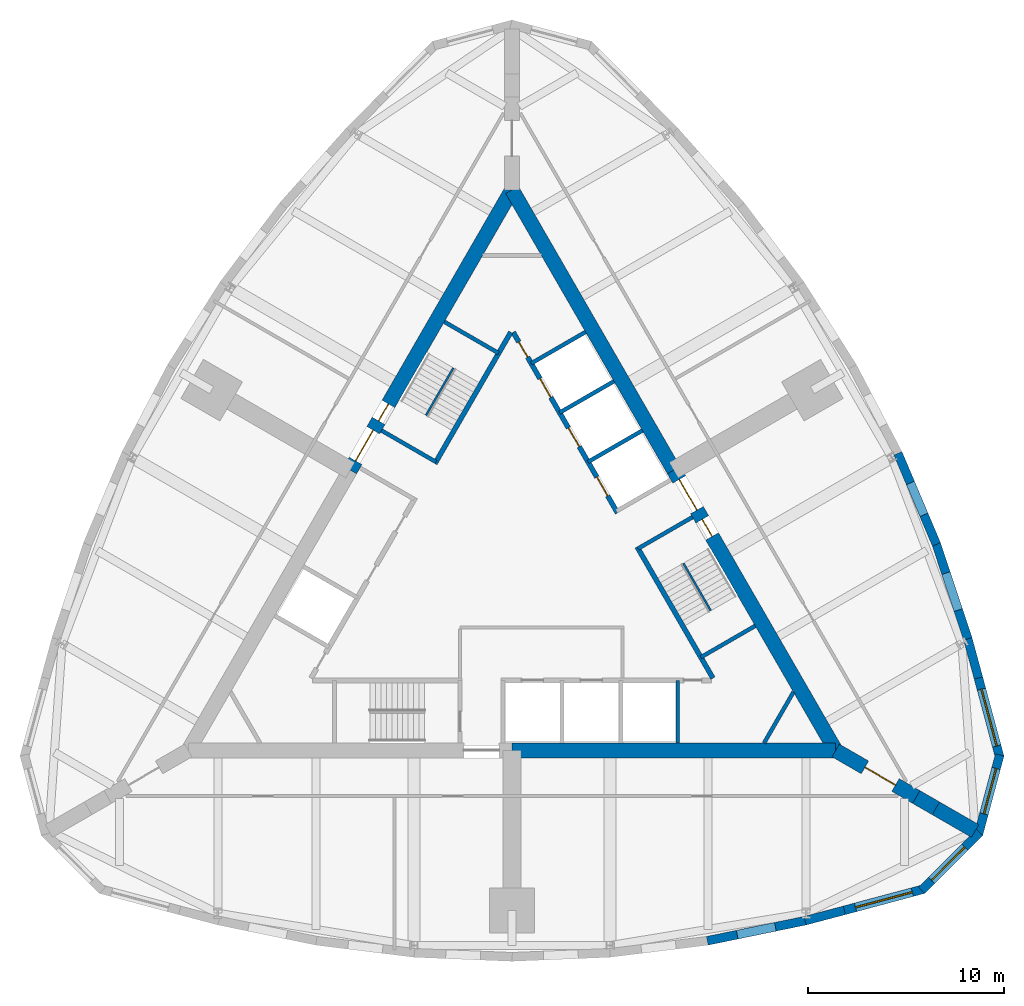
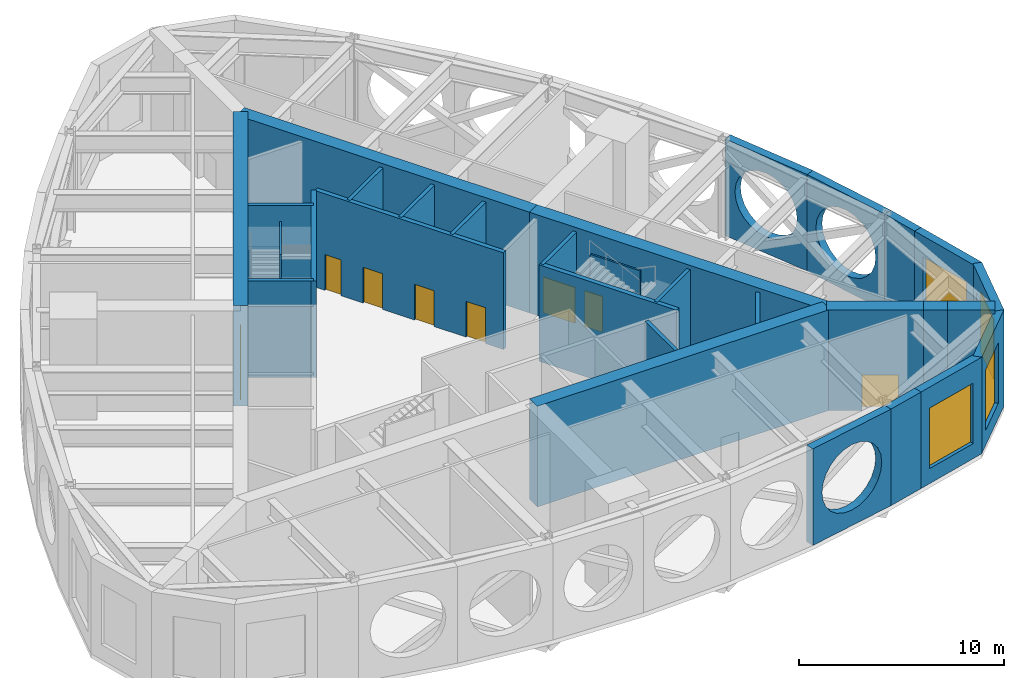
# One storey, part 4 of 7: 30 walls, 9 doors, 4 windows, 13 openings.
"""IFC4 building model written with IfcOpenShell, lengths in metres."""

from ifc_helpers import new_model, si_unit, direction, frame, frame_2d, origin, place, context, subcontext, project, spatial, polyline, rectangle, outline, extrude, material, layer, layer_set, type_object, element, fill, save


model = new_model("IFC4")

# Units and contexts
model_context = context("Model", 3, precision=1e-05, world=origin(), true_north=direction((0.0, 1.0)))
body_context = subcontext(model_context, "Body", "Model", "MODEL_VIEW")
ifc_project = project(units=[si_unit("LENGTHUNIT", "METRE"), si_unit("AREAUNIT", "SQUARE_METRE"), si_unit("VOLUMEUNIT", "CUBIC_METRE"), si_unit("PLANEANGLEUNIT", "RADIAN"), si_unit("MASSUNIT", "GRAM", prefix="KILO")], contexts=[model_context])

# Site, building, storey
site_placement = place(None, origin())
site = spatial("IfcSite", under=ifc_project, at=site_placement, CompositionType="ELEMENT")
building_placement = place(site_placement, origin())
building = spatial("IfcBuilding", under=site, at=building_placement, Name="Trikona Tower", CompositionType="ELEMENT")
storey_placement = place(building_placement, frame((0.0, 0.0, 233.300048828125)))
storey = spatial("IfcBuildingStorey", under=building, at=storey_placement, Name="L62", CompositionType="ELEMENT", Elevation=233.300048828125)

# Wall, opening, window
ifc_material_1 = material(Name="Brick-faced precast concrete", Category="masonry")
ifc_layer_1 = layer(ifc_material_1, 0.449951171875)
ifc_layer_set_1 = layer_set([ifc_layer_1], Name="Brick-faced corner wall 450")
wall_type_1 = type_object("IfcWallType", Name="Brick-faced corner wall 450", PredefinedType="SOLIDWALL", material=ifc_layer_set_1)
wall_1_placement = place(storey_placement, frame((16.94189453125, -17.6806640625, 0.0), z_axis=(0.0, 0.0, 1.0), x_axis=(0.965920442324, 0.258839137498, 0.0)))
wall_1 = element("IfcWall", 1, at=wall_1_placement, inside=storey, type_object=wall_type_1, Name="External wall L62-08", PredefinedType="SOLIDWALL", context=body_context, shape_type="SweptSolid", body=[
    extrude(rectangle(XDim=4.18408203125, YDim=0.449951171875, at=frame_2d((2.092041015625, 0.0))), origin(), (0.0, 0.0, 1.0), 5.75),
])
opening_1_placement = place(wall_1_placement, frame((0.592041015625, 0.0, 0.89990234375)))
opening_1 = element("IfcOpeningElement", 2, at=opening_1_placement, cuts=wall_1, Name="Opening W3036", PredefinedType="OPENING", context=body_context, shape_type="SweptSolid", body=[
    extrude(rectangle(XDim=3.0, YDim=3.60009765625, at=frame_2d((1.5, 1.800048828125))), frame((0.0, 0.23486328125, 0.0), z_axis=(0.0, -1.0, 0.0), x_axis=(1.0, 0.0, 0.0)), (0.0, 0.0, 1.0), 0.469970703125),
])
ifc_material_2 = material(Name="Aluminium-framed double glazing", Category="aluminium")
window_type_1 = type_object("IfcWindowType", Name="Window 3000x3600", PartitioningType="SINGLE_PANEL", PredefinedType="WINDOW", material=ifc_material_2)
window_1_placement = place(opening_1_placement, origin())
window_1 = element("IfcWindow", 3, at=window_1_placement, inside=storey, type_object=window_type_1, Name="Window L62-RFG1", OverallHeight=3.60009765625, OverallWidth=3.0, PartitioningType="SINGLE_PANEL", PredefinedType="WINDOW", context=body_context, shape_type="SweptSolid", body=[
    extrude(rectangle(XDim=3.0, YDim=3.60009765625, at=frame_2d((1.5, 1.800048828125))), frame((0.0, 0.030029296875, 0.0), z_axis=(0.0, -1.0, 0.0), x_axis=(1.0, 0.0, 0.0)), (0.0, 0.0, 1.0), 0.06005859375),
])
fill(opening_1, window_1)

wall_2_placement = place(storey_placement, frame((20.88232421875, -16.656005859375, 0.0), z_axis=(0.0, 0.0, 1.0), x_axis=(0.707077605902, 0.707135955267, 0.0)))
wall_2 = element("IfcWall", 4, at=wall_2_placement, inside=storey, type_object=wall_type_1, Name="External wall L62-09", PredefinedType="SOLIDWALL", context=body_context, shape_type="SweptSolid", body=[
    extrude(outline(polyline([(4.18408203125, 0.22509765625), (4.125244140625, 0.22509765625), (3.705322265625, 0.112548828125), (3.67529296875, 0.22509765625), (0.0, 0.22509765625), (0.0, -0.22509765625), (4.18408203125, -0.22509765625), (4.18408203125, 0.22509765625)])), origin(), (0.0, 0.0, 1.0), 5.75),
])
opening_2_placement = place(wall_2_placement, frame((0.712646484375, 0.0, 0.89990234375)))
opening_2 = element("IfcOpeningElement", 5, at=opening_2_placement, cuts=wall_2, Name="Opening W2436", PredefinedType="OPENING", context=body_context, shape_type="SweptSolid", body=[
    extrude(rectangle(XDim=2.39990234375, YDim=3.60009765625, at=frame_2d((1.199951171875, 1.800048828125))), frame((0.0, 0.23486328125, 0.0), z_axis=(0.0, -1.0, 0.0), x_axis=(1.0, 0.0, 0.0)), (0.0, 0.0, 1.0), 0.469970703125),
])
ifc_material_3 = material(Name="Aluminium-framed double glazing", Category="aluminium")
window_type_2 = type_object("IfcWindowType", Name="Window 2400x3600", PartitioningType="SINGLE_PANEL", PredefinedType="WINDOW", material=ifc_material_3)
window_2_placement = place(opening_2_placement, origin())
window_2 = element("IfcWindow", 6, at=window_2_placement, inside=storey, type_object=window_type_2, Name="Window L62-RFG1", OverallHeight=3.60009765625, OverallWidth=2.39990234375, PartitioningType="SINGLE_PANEL", PredefinedType="WINDOW", context=body_context, shape_type="SweptSolid", body=[
    extrude(rectangle(XDim=2.39990234375, YDim=3.60009765625, at=frame_2d((1.199951171875, 1.800048828125))), frame((0.0, 0.030029296875, 0.0), z_axis=(0.0, -1.0, 0.0), x_axis=(1.0, 0.0, 0.0)), (0.0, 0.0, 1.0), 0.06005859375),
])
fill(opening_2, window_2)

wall_3_placement = place(storey_placement, frame((23.78271484375, -13.798095703125, 0.0), z_axis=(0.0, 0.0, 1.0), x_axis=(0.258799282522, 0.96593112144, 0.0)))
wall_3 = element("IfcWall", 7, at=wall_3_placement, inside=storey, type_object=wall_type_1, Name="External wall L62-10", PredefinedType="SOLIDWALL", context=body_context, shape_type="SweptSolid", body=[
    extrude(outline(polyline([(4.183837890625, 0.22509765625), (0.5087890625, 0.22509765625), (0.478759765625, 0.112548828125), (0.059326171875, 0.22509765625), (0.0, 0.22509765625), (0.0, -0.22509765625), (4.183837890625, -0.22509765625), (4.183837890625, 0.22509765625)])), origin(), (0.0, 0.0, 1.0), 5.75),
])
opening_3_placement = place(wall_3_placement, frame((1.0712890625, 0.0, 0.89990234375)))
opening_3 = element("IfcOpeningElement", 8, at=opening_3_placement, cuts=wall_3, Name="Opening W2436", PredefinedType="OPENING", context=body_context, shape_type="SweptSolid", body=[
    extrude(rectangle(XDim=2.39990234375, YDim=3.60009765625, at=frame_2d((1.199951171875, 1.800048828125))), frame((0.0, 0.23486328125, 0.0), z_axis=(0.0, -1.0, 0.0), x_axis=(1.0, 0.0, 0.0)), (0.0, 0.0, 1.0), 0.469970703125),
])
window_3_placement = place(opening_3_placement, origin())
window_3 = element("IfcWindow", 9, at=window_3_placement, inside=storey, type_object=window_type_2, Name="Window L62-FWT", OverallHeight=3.60009765625, OverallWidth=2.39990234375, PartitioningType="SINGLE_PANEL", PredefinedType="WINDOW", context=body_context, shape_type="SweptSolid", body=[
    extrude(rectangle(XDim=2.39990234375, YDim=3.60009765625, at=frame_2d((1.199951171875, 1.800048828125))), frame((0.0, 0.030029296875, 0.0), z_axis=(0.0, -1.0, 0.0), x_axis=(1.0, 0.0, 0.0)), (0.0, 0.0, 1.0), 0.06005859375),
])
fill(opening_3, window_3)

wall_4_placement = place(storey_placement, frame((24.865478515625, -9.873291015625, 0.0), z_axis=(0.0, 0.0, 1.0), x_axis=(-0.258784695888, 0.965935029479, 0.0)))
wall_4 = element("IfcWall", 10, at=wall_4_placement, inside=storey, type_object=wall_type_1, Name="External wall L62-11", PredefinedType="SOLIDWALL", context=body_context, shape_type="SweptSolid", body=[
    extrude(rectangle(XDim=4.18408203125, YDim=0.449951171875, at=frame_2d((2.092041015625, 0.0))), origin(), (0.0, 0.0, 1.0), 5.75),
])
opening_4_placement = place(wall_4_placement, frame((0.592041015625, 0.0, 0.89990234375)))
opening_4 = element("IfcOpeningElement", 11, at=opening_4_placement, cuts=wall_4, Name="Opening W3036", PredefinedType="OPENING", context=body_context, shape_type="SweptSolid", body=[
    extrude(rectangle(XDim=3.0, YDim=3.60009765625, at=frame_2d((1.5, 1.800048828125))), frame((0.0, 0.23486328125, 0.0), z_axis=(0.0, -1.0, 0.0), x_axis=(1.0, 0.0, 0.0)), (0.0, 0.0, 1.0), 0.469970703125),
])
window_4_placement = place(opening_4_placement, origin())
window_4 = element("IfcWindow", 12, at=window_4_placement, inside=storey, type_object=window_type_1, Name="Window L62-FWT", OverallHeight=3.60009765625, OverallWidth=3.0, PartitioningType="SINGLE_PANEL", PredefinedType="WINDOW", context=body_context, shape_type="SweptSolid", body=[
    extrude(rectangle(XDim=3.0, YDim=3.60009765625, at=frame_2d((1.5, 1.800048828125))), frame((0.0, 0.030029296875, 0.0), z_axis=(0.0, -1.0, 0.0), x_axis=(1.0, 0.0, 0.0)), (0.0, 0.0, 1.0), 0.06005859375),
])
fill(opening_4, window_4)

# Walls
ifc_material_4 = material(Name="Brick-faced precast concrete with louvred openings", Category="masonry")
ifc_layer_2 = layer(ifc_material_4, 0.449951171875)
ifc_layer_set_2 = layer_set([ifc_layer_2], Name="Brick-faced plant wall 450")
wall_type_2 = type_object("IfcWallType", Name="Brick-faced plant wall 450", PredefinedType="SOLIDWALL", material=ifc_layer_set_2)
wall_5_placement = place(storey_placement, frame((9.95458984375, -19.23388671875, 0.0), z_axis=(0.0, 0.0, 1.0), x_axis=(0.979461488189, 0.201631329795, 0.0)))
element("IfcWall", 13, at=wall_5_placement, inside=storey, type_object=wall_type_2, Name="External wall L62-06", PredefinedType="SOLIDWALL", context=body_context, shape_type="SweptSolid", body=[
    extrude(outline(polyline([(0.0, 0.0), (5.104736328125, 0.0), (5.104736328125, 5.75), (0.0, 5.75), (0.0, 0.0)]), holes=[polyline([(4.50244140625, 2.875), (4.43603515625, 3.379638671875), (4.2412109375, 3.849853515625), (3.931396484375, 4.25390625), (3.52734375, 4.563720703125), (3.05712890625, 4.758544921875), (2.552490234375, 4.824951171875), (2.047607421875, 4.758544921875), (1.577392578125, 4.563720703125), (1.173583984375, 4.25390625), (0.86376953125, 3.849853515625), (0.6689453125, 3.379638671875), (0.602294921875, 2.875), (0.6689453125, 2.370361328125), (0.86376953125, 1.89990234375), (1.173583984375, 1.49609375), (1.577392578125, 1.186279296875), (2.047607421875, 0.991455078125), (2.552490234375, 0.925048828125), (3.05712890625, 0.991455078125), (3.52734375, 1.186279296875), (3.931396484375, 1.49609375), (4.2412109375, 1.89990234375), (4.43603515625, 2.370361328125), (4.50244140625, 2.875)])]), frame((0.0, 0.22509765625, 0.0), z_axis=(0.0, -1.0, 0.0), x_axis=(1.0, 0.0, 0.0)), (0.0, 0.0, 1.0), 0.449951171875),
])
wall_6_placement = place(storey_placement, frame((14.942626953125, -18.207275390625, 0.0), z_axis=(0.0, 0.0, 1.0), x_axis=(0.967010286052, 0.254737328772, 0.0)))
element("IfcWall", 14, at=wall_6_placement, inside=storey, type_object=wall_type_2, Name="External wall L62-07", PredefinedType="SOLIDWALL", context=body_context, shape_type="SweptSolid", body=[
    extrude(rectangle(XDim=2.068115234375, YDim=0.449951171875, at=frame_2d((1.0341796875, 0.0))), origin(), (0.0, 0.0, 1.0), 5.75),
])
wall_7_placement = place(storey_placement, frame((23.782958984375, -5.83251953125, 0.0), z_axis=(0.0, 0.0, 1.0), x_axis=(-0.262867703986, 0.964831887015, 0.0)))
element("IfcWall", 15, at=wall_7_placement, inside=storey, type_object=wall_type_2, Name="External wall L62-12", PredefinedType="SOLIDWALL", context=body_context, shape_type="SweptSolid", body=[
    extrude(rectangle(XDim=2.068359375, YDim=0.449951171875, at=frame_2d((1.0341796875, 0.0))), origin(), (0.0, 0.0, 1.0), 5.75),
])
wall_8_placement = place(storey_placement, frame((23.242919921875, -3.848876953125, 0.0), z_axis=(0.0, 0.0, 1.0), x_axis=(-0.315065402268, 0.949069961749, 0.0)))
element("IfcWall", 16, at=wall_8_placement, inside=storey, type_object=wall_type_2, Name="External wall L62-13", PredefinedType="SOLIDWALL", context=body_context, shape_type="SweptSolid", body=[
    extrude(outline(polyline([(0.0, 0.0), (5.10498046875, 0.0), (5.10498046875, 5.75), (0.0, 5.75), (0.0, 0.0)]), holes=[polyline([(4.50244140625, 2.875), (4.43603515625, 3.379638671875), (4.2412109375, 3.849853515625), (3.931396484375, 4.25390625), (3.52734375, 4.563720703125), (3.05712890625, 4.758544921875), (2.552490234375, 4.824951171875), (2.047607421875, 4.758544921875), (1.577392578125, 4.563720703125), (1.173583984375, 4.25390625), (0.86376953125, 3.849853515625), (0.6689453125, 3.379638671875), (0.602294921875, 2.875), (0.6689453125, 2.370361328125), (0.86376953125, 1.89990234375), (1.173583984375, 1.49609375), (1.577392578125, 1.186279296875), (2.047607421875, 0.991455078125), (2.552490234375, 0.925048828125), (3.05712890625, 0.991455078125), (3.52734375, 1.186279296875), (3.931396484375, 1.49609375), (4.2412109375, 1.89990234375), (4.43603515625, 2.370361328125), (4.50244140625, 2.875)])]), frame((0.0, 0.22509765625, 0.0), z_axis=(0.0, -1.0, 0.0), x_axis=(1.0, 0.0, 0.0)), (0.0, 0.0, 1.0), 0.449951171875),
])
wall_9_placement = place(storey_placement, frame((21.640625, 0.97900390625, 0.0), z_axis=(0.0, 0.0, 1.0), x_axis=(-0.390038319149, 0.920798625974, 0.0)))
element("IfcWall", 17, at=wall_9_placement, inside=storey, type_object=wall_type_2, Name="External wall L62-14", PredefinedType="SOLIDWALL", context=body_context, shape_type="SweptSolid", body=[
    extrude(outline(polyline([(0.0, 0.0), (5.0380859375, 0.0), (5.0380859375, 5.75), (0.0, 5.75), (0.0, 0.0)]), holes=[polyline([(4.4189453125, 2.875), (4.354248046875, 3.36669921875), (4.16455078125, 3.824951171875), (3.862548828125, 4.218505859375), (3.468994140625, 4.520263671875), (3.0107421875, 4.710205078125), (2.51904296875, 4.77490234375), (2.02734375, 4.710205078125), (1.569091796875, 4.520263671875), (1.175537109375, 4.218505859375), (0.87353515625, 3.824951171875), (0.683837890625, 3.36669921875), (0.618896484375, 2.875), (0.683837890625, 2.383056640625), (0.87353515625, 1.925048828125), (1.175537109375, 1.531494140625), (1.569091796875, 1.2294921875), (2.02734375, 1.03955078125), (2.51904296875, 0.974853515625), (3.0107421875, 1.03955078125), (3.468994140625, 1.2294921875), (3.862548828125, 1.531494140625), (4.16455078125, 1.925048828125), (4.354248046875, 2.383056640625), (4.4189453125, 2.875)])]), frame((0.0, 0.22509765625, 0.0), z_axis=(0.0, -1.0, 0.0), x_axis=(1.0, 0.0, 0.0)), (0.0, 0.0, 1.0), 0.449951171875),
])

# Wall, opening, door
ifc_material_5 = material(Name="Concrete f'c 10000 psi", Category="concrete")
ifc_layer_3 = layer(ifc_material_5, 0.75)
ifc_layer_set_3 = layer_set([ifc_layer_3], Name="Buttress wall 750")
wall_type_3 = type_object("IfcWallType", Name="Buttress wall 750", PredefinedType="SHEAR", material=ifc_layer_set_3)
wall_10_placement = place(storey_placement, frame((16.5, -9.5263671875, 0.0), z_axis=(0.0, 0.0, 1.0), x_axis=(0.866031398331, -0.499989616998, 0.0)))
wall_10 = element("IfcWall", 18, at=wall_10_placement, inside=storey, type_object=wall_type_3, Name="Buttress wall 1", PredefinedType="SHEAR", context=body_context, shape_type="SweptSolid", body=[
    extrude(rectangle(XDim=4.74609375, YDim=0.75, at=frame_2d((2.373046875, 0.0))), origin(), (0.0, 0.0, 1.0), 6.0),
])
opening_5_placement = place(wall_10_placement, frame((1.72509765625, 0.0, 0.0)))
opening_5 = element("IfcOpeningElement", 19, at=opening_5_placement, cuts=wall_10, Name="Opening D10", PredefinedType="OPENING", context=body_context, shape_type="SweptSolid", body=[
    extrude(rectangle(XDim=1.800048828125, YDim=2.1298828125, at=frame_2d((0.89990234375, 1.06494140625))), frame((0.0, 0.385009765625, 0.0), z_axis=(0.0, -1.0, 0.0), x_axis=(1.0, 0.0, 0.0)), (0.0, 0.0, 1.0), 0.77001953125),
])
ifc_material_6 = material(Name="Hollow metal door and frame", Category="steel")
door_type_1 = type_object("IfcDoorType", Name="Cross-corridor door pair 1800x2130", OperationType="DOUBLE_DOOR_DOUBLE_SWING", PredefinedType="DOOR", material=ifc_material_6)
door_1_placement = place(opening_5_placement, origin())
door_1 = element("IfcDoor", 20, at=door_1_placement, inside=storey, type_object=door_type_1, Name="Cross-corridor door 1", OperationType="DOUBLE_DOOR_DOUBLE_SWING", OverallHeight=2.1298828125, OverallWidth=1.800048828125, PredefinedType="DOOR", context=body_context, shape_type="SweptSolid", body=[
    extrude(rectangle(XDim=1.800048828125, YDim=2.1298828125, at=frame_2d((0.89990234375, 1.06494140625))), frame((0.0, 0.02490234375, 0.0), z_axis=(0.0, -1.0, 0.0), x_axis=(1.0, 0.0, 0.0)), (0.0, 0.0, 1.0), 0.050048828125),
])
fill(opening_5, door_1)

# Walls
wall_11_placement = place(storey_placement, frame((20.6103515625, -11.8994140625, 0.0), z_axis=(0.0, 0.0, 1.0), x_axis=(0.866009537788, -0.500027479704, 0.0)))
element("IfcWall", 21, at=wall_11_placement, inside=storey, type_object=wall_type_3, Name="Buttress wall 1 part 2", PredefinedType="SHEAR", context=body_context, shape_type="SweptSolid", body=[
    extrude(rectangle(XDim=1.15478515625, YDim=0.75, at=frame_2d((0.577392578125, 0.0))), origin(), (0.0, 0.0, 1.0), 6.0),
])
wall_12_placement = place(storey_placement, frame((21.6103515625, -12.476806640625, 0.0), z_axis=(0.0, 0.0, 1.0), x_axis=(0.866055313784, -0.499948190782, 0.0)))
element("IfcWall", 22, at=wall_12_placement, inside=storey, type_object=wall_type_3, Name="Buttress wall 1 part 3", PredefinedType="SHEAR", context=body_context, shape_type="SweptSolid", body=[
    extrude(rectangle(XDim=2.309326171875, YDim=0.75, at=frame_2d((1.15478515625, 0.0))), origin(), (0.0, 0.0, 1.0), 6.0),
])
ifc_material_7 = material(Name="Concrete f'c 10000 psi", Category="concrete")
ifc_layer_4 = layer(ifc_material_7, 0.75)
ifc_layer_set_4 = layer_set([ifc_layer_4], Name="Core wall 750")
wall_type_4 = type_object("IfcWallType", Name="Core wall 750", PredefinedType="SHEAR", material=ifc_layer_set_4)
wall_13_placement = place(storey_placement, frame((0.0, -9.5263671875, 0.0), z_axis=(0.0, 0.0, 1.0), x_axis=(1.0, 0.0, 0.0)))
element("IfcWall", 23, at=wall_13_placement, inside=storey, type_object=wall_type_4, Name="Core wall A2", PredefinedType="SHEAR", context=body_context, shape_type="SweptSolid", body=[
    extrude(rectangle(XDim=16.5, YDim=0.75, at=frame_2d((8.25, 0.0))), origin(), (0.0, 0.0, 1.0), 6.0),
])

# Wall, openings, doors
wall_14_placement = place(storey_placement, frame((16.5, -9.5263671875, 0.0), z_axis=(0.0, 0.0, 1.0), x_axis=(-0.499996545922, 0.866027397988, 0.0)))
wall_14 = element("IfcWall", 24, at=wall_14_placement, inside=storey, type_object=wall_type_4, Name="Core wall B1", PredefinedType="SHEAR", context=body_context, shape_type="SweptSolid", body=[
    extrude(rectangle(XDim=16.5, YDim=0.75, at=frame_2d((8.25, 0.0))), origin(), (0.0, 0.0, 1.0), 6.0),
])
opening_6_placement = place(wall_14_placement, frame((14.14990234375, 0.0, 0.0)))
opening_6 = element("IfcOpeningElement", 25, at=opening_6_placement, cuts=wall_14, Name="Opening D6", PredefinedType="OPENING", context=body_context, shape_type="SweptSolid", body=[
    extrude(rectangle(XDim=1.800048828125, YDim=2.1298828125, at=frame_2d((0.89990234375, 1.06494140625))), frame((0.0, 0.385009765625, 0.0), z_axis=(0.0, -1.0, 0.0), x_axis=(1.0, 0.0, 0.0)), (0.0, 0.0, 1.0), 0.77001953125),
])
opening_7_placement = place(wall_14_placement, frame((12.60009765625, 0.0, 0.0)))
opening_7 = element("IfcOpeningElement", 26, at=opening_7_placement, cuts=wall_14, Name="Opening D5", PredefinedType="OPENING", context=body_context, shape_type="SweptSolid", body=[
    extrude(rectangle(XDim=1.0, YDim=2.1298828125, at=frame_2d((0.5, 1.06494140625))), frame((0.0, 0.385009765625, 0.0), z_axis=(0.0, -1.0, 0.0), x_axis=(1.0, 0.0, 0.0)), (0.0, 0.0, 1.0), 0.77001953125),
])
ifc_material_8 = material(Name="Hollow metal door and frame", Category="steel")
door_type_2 = type_object("IfcDoorType", Name="Lobby door pair 1800x2130", OperationType="DOUBLE_DOOR_SINGLE_SWING", PredefinedType="DOOR", material=ifc_material_8)
door_2_placement = place(opening_6_placement, origin())
door_2 = element("IfcDoor", 27, at=door_2_placement, inside=storey, type_object=door_type_2, Name="Lift lobby door B", OperationType="DOUBLE_DOOR_SINGLE_SWING", OverallHeight=2.1298828125, OverallWidth=1.800048828125, PredefinedType="DOOR", context=body_context, shape_type="SweptSolid", body=[
    extrude(rectangle(XDim=1.800048828125, YDim=2.1298828125, at=frame_2d((0.89990234375, 1.06494140625))), frame((0.0, 0.02490234375, 0.0), z_axis=(0.0, -1.0, 0.0), x_axis=(1.0, 0.0, 0.0)), (0.0, 0.0, 1.0), 0.050048828125),
])
fill(opening_6, door_2)
ifc_material_9 = material(Name="Hollow metal door and frame", Category="steel")
door_type_3 = type_object("IfcDoorType", Name="Stair door 1000x2130", OperationType="SINGLE_SWING_LEFT", PredefinedType="DOOR", material=ifc_material_9)
door_3_placement = place(opening_7_placement, origin())
door_3 = element("IfcDoor", 28, at=door_3_placement, inside=storey, type_object=door_type_3, Name="Stair B door", OperationType="SINGLE_SWING_RIGHT", OverallHeight=2.1298828125, OverallWidth=1.0, PredefinedType="DOOR", context=body_context, shape_type="SweptSolid", body=[
    extrude(rectangle(XDim=1.0, YDim=2.1298828125, at=frame_2d((0.5, 1.06494140625))), frame((0.0, 0.02490234375, 0.0), z_axis=(0.0, -1.0, 0.0), x_axis=(1.0, 0.0, 0.0)), (0.0, 0.0, 1.0), 0.050048828125),
])
fill(opening_7, door_3)

# Wall
wall_15_placement = place(storey_placement, frame((8.25, 4.76318359375, 0.0), z_axis=(0.0, 0.0, 1.0), x_axis=(-0.500002952946, 0.866023698893, 0.0)))
element("IfcWall", 29, at=wall_15_placement, inside=storey, type_object=wall_type_4, Name="Core wall B2", PredefinedType="SHEAR", context=body_context, shape_type="SweptSolid", body=[
    extrude(rectangle(XDim=16.5, YDim=0.75, at=frame_2d((8.25, 0.0))), origin(), (0.0, 0.0, 1.0), 6.0),
])

# Wall, openings, doors
wall_16_placement = place(storey_placement, frame((0.0, 19.052490234375, 0.0), z_axis=(0.0, 0.0, 1.0), x_axis=(-0.500002952946, -0.866023698893, 0.0)))
wall_16 = element("IfcWall", 30, at=wall_16_placement, inside=storey, type_object=wall_type_4, Name="Core wall C1", PredefinedType="SHEAR", context=body_context, shape_type="SweptSolid", body=[
    extrude(rectangle(XDim=16.5, YDim=0.75, at=frame_2d((8.25, 0.0))), origin(), (0.0, 0.0, 1.0), 6.0),
])
opening_8_placement = place(wall_16_placement, frame((14.14990234375, 0.0, 0.0)))
opening_8 = element("IfcOpeningElement", 31, at=opening_8_placement, cuts=wall_16, Name="Opening D6", PredefinedType="OPENING", context=body_context, shape_type="SweptSolid", body=[
    extrude(rectangle(XDim=1.800048828125, YDim=2.1298828125, at=frame_2d((0.89990234375, 1.06494140625))), frame((0.0, 0.385009765625, 0.0), z_axis=(0.0, -1.0, 0.0), x_axis=(1.0, 0.0, 0.0)), (0.0, 0.0, 1.0), 0.77001953125),
])
opening_9_placement = place(wall_16_placement, frame((12.60009765625, 0.0, 0.0)))
opening_9 = element("IfcOpeningElement", 32, at=opening_9_placement, cuts=wall_16, Name="Opening D5", PredefinedType="OPENING", context=body_context, shape_type="SweptSolid", body=[
    extrude(rectangle(XDim=1.0, YDim=2.1298828125, at=frame_2d((0.5, 1.06494140625))), frame((0.0, 0.385009765625, 0.0), z_axis=(0.0, -1.0, 0.0), x_axis=(1.0, 0.0, 0.0)), (0.0, 0.0, 1.0), 0.77001953125),
])
door_4_placement = place(opening_8_placement, origin())
door_4 = element("IfcDoor", 33, at=door_4_placement, inside=storey, type_object=door_type_2, Name="Lift lobby door C", OperationType="DOUBLE_DOOR_SINGLE_SWING", OverallHeight=2.1298828125, OverallWidth=1.800048828125, PredefinedType="DOOR", context=body_context, shape_type="SweptSolid", body=[
    extrude(rectangle(XDim=1.800048828125, YDim=2.1298828125, at=frame_2d((0.89990234375, 1.06494140625))), frame((0.0, 0.02490234375, 0.0), z_axis=(0.0, -1.0, 0.0), x_axis=(1.0, 0.0, 0.0)), (0.0, 0.0, 1.0), 0.050048828125),
])
fill(opening_8, door_4)
door_5_placement = place(opening_9_placement, origin())
door_5 = element("IfcDoor", 34, at=door_5_placement, inside=storey, type_object=door_type_3, Name="Stair C door", OperationType="SINGLE_SWING_RIGHT", OverallHeight=2.1298828125, OverallWidth=1.0, PredefinedType="DOOR", context=body_context, shape_type="SweptSolid", body=[
    extrude(rectangle(XDim=1.0, YDim=2.1298828125, at=frame_2d((0.5, 1.06494140625))), frame((0.0, 0.02490234375, 0.0), z_axis=(0.0, -1.0, 0.0), x_axis=(1.0, 0.0, 0.0)), (0.0, 0.0, 1.0), 0.050048828125),
])
fill(opening_9, door_5)

# Wall
ifc_material_10 = material(Name="Concrete f'c 8000 psi", Category="concrete")
ifc_layer_5 = layer(ifc_material_10, 0.25)
ifc_layer_set_5 = layer_set([ifc_layer_5], Name="Hub wall 250")
wall_type_5 = type_object("IfcWallType", Name="Hub wall 250", PredefinedType="SOLIDWALL", material=ifc_layer_set_5)
wall_17_placement = place(storey_placement, frame((10.245361328125, -5.843017578125, 0.0), z_axis=(0.0, 0.0, 1.0), x_axis=(-0.499993009313, 0.866029439822, 0.0)))
element("IfcWall", 35, at=wall_17_placement, inside=storey, type_object=wall_type_5, Name="Lift lobby wall B1", PredefinedType="SOLIDWALL", context=body_context, shape_type="SweptSolid", body=[
    extrude(rectangle(XDim=7.73291015625, YDim=0.25, at=frame_2d((3.866455078125, 0.0))), origin(), (0.0, 0.0, 1.0), 5.75),
])

# Wall, openings, doors
wall_18_placement = place(storey_placement, frame((5.37890625, 2.5859375, 0.0), z_axis=(0.0, 0.0, 1.0), x_axis=(-0.500001375892, 0.866024609411, 0.0)))
wall_18 = element("IfcWall", 36, at=wall_18_placement, inside=storey, type_object=wall_type_5, Name="Lift lobby wall B2", PredefinedType="SOLIDWALL", context=body_context, shape_type="SweptSolid", body=[
    extrude(rectangle(XDim=10.6328125, YDim=0.25, at=frame_2d((5.31640625, 0.0))), origin(), (0.0, 0.0, 1.0), 5.75),
])
opening_10_placement = place(wall_18_placement, frame((9.1640625, 0.0, 0.0)))
opening_10 = element("IfcOpeningElement", 37, at=opening_10_placement, cuts=wall_18, Name="Opening D14", PredefinedType="OPENING", context=body_context, shape_type="SweptSolid", body=[
    extrude(rectangle(XDim=0.89990234375, YDim=2.1298828125, at=frame_2d((0.449951171875, 1.06494140625))), frame((0.0, 0.135009765625, 0.0), z_axis=(0.0, -1.0, 0.0), x_axis=(1.0, 0.0, 0.0)), (0.0, 0.0, 1.0), 0.27001953125),
])
opening_11_placement = place(wall_18_placement, frame((1.0, 0.0, 0.0)))
opening_11 = element("IfcOpeningElement", 38, at=opening_11_placement, cuts=wall_18, Name="Opening LD", PredefinedType="OPENING", context=body_context, shape_type="SweptSolid", body=[
    extrude(rectangle(XDim=1.10009765625, YDim=2.1298828125, at=frame_2d((0.550048828125, 1.06494140625))), frame((0.0, 0.135009765625, 0.0), z_axis=(0.0, -1.0, 0.0), x_axis=(1.0, 0.0, 0.0)), (0.0, 0.0, 1.0), 0.27001953125),
])
opening_12_placement = place(wall_18_placement, frame((3.89990234375, 0.0, 0.0)))
opening_12 = element("IfcOpeningElement", 39, at=opening_12_placement, cuts=wall_18, Name="Opening LD", PredefinedType="OPENING", context=body_context, shape_type="SweptSolid", body=[
    extrude(rectangle(XDim=1.10009765625, YDim=2.1298828125, at=frame_2d((0.550048828125, 1.06494140625))), frame((0.0, 0.135009765625, 0.0), z_axis=(0.0, -1.0, 0.0), x_axis=(1.0, 0.0, 0.0)), (0.0, 0.0, 1.0), 0.27001953125),
])
opening_13_placement = place(wall_18_placement, frame((6.800048828125, 0.0, 0.0)))
opening_13 = element("IfcOpeningElement", 40, at=opening_13_placement, cuts=wall_18, Name="Opening LD", PredefinedType="OPENING", context=body_context, shape_type="SweptSolid", body=[
    extrude(rectangle(XDim=1.10009765625, YDim=2.1298828125, at=frame_2d((0.550048828125, 1.06494140625))), frame((0.0, 0.135009765625, 0.0), z_axis=(0.0, -1.0, 0.0), x_axis=(1.0, 0.0, 0.0)), (0.0, 0.0, 1.0), 0.27001953125),
])
ifc_material_11 = material(Name="Stainless steel lift landing door", Category="steel")
door_type_4 = type_object("IfcDoorType", Name="Lift landing door 1100x2130", OperationType="DOUBLE_DOOR_SLIDING", PredefinedType="USERDEFINED", material=ifc_material_11)
door_6_placement = place(opening_11_placement, origin())
door_6 = element("IfcDoor", 41, at=door_6_placement, inside=storey, type_object=door_type_4, Name="Lift landing door L3-1", ObjectType="LIFT LANDING DOOR", OperationType="DOUBLE_DOOR_SLIDING", OverallHeight=2.1298828125, OverallWidth=1.10009765625, PredefinedType="USERDEFINED", context=body_context, shape_type="SweptSolid", body=[
    extrude(rectangle(XDim=1.10009765625, YDim=2.1298828125, at=frame_2d((0.550048828125, 1.06494140625))), frame((0.0, 0.02490234375, 0.0), z_axis=(0.0, -1.0, 0.0), x_axis=(1.0, 0.0, 0.0)), (0.0, 0.0, 1.0), 0.050048828125),
])
fill(opening_11, door_6)
door_7_placement = place(opening_12_placement, origin())
door_7 = element("IfcDoor", 42, at=door_7_placement, inside=storey, type_object=door_type_4, Name="Lift landing door L3-2", ObjectType="LIFT LANDING DOOR", OperationType="DOUBLE_DOOR_SLIDING", OverallHeight=2.1298828125, OverallWidth=1.10009765625, PredefinedType="USERDEFINED", context=body_context, shape_type="SweptSolid", body=[
    extrude(rectangle(XDim=1.10009765625, YDim=2.1298828125, at=frame_2d((0.550048828125, 1.06494140625))), frame((0.0, 0.02490234375, 0.0), z_axis=(0.0, -1.0, 0.0), x_axis=(1.0, 0.0, 0.0)), (0.0, 0.0, 1.0), 0.050048828125),
])
fill(opening_12, door_7)
door_8_placement = place(opening_13_placement, origin())
door_8 = element("IfcDoor", 43, at=door_8_placement, inside=storey, type_object=door_type_4, Name="Lift landing door L3-3", ObjectType="LIFT LANDING DOOR", OperationType="DOUBLE_DOOR_SLIDING", OverallHeight=2.1298828125, OverallWidth=1.10009765625, PredefinedType="USERDEFINED", context=body_context, shape_type="SweptSolid", body=[
    extrude(rectangle(XDim=1.10009765625, YDim=2.1298828125, at=frame_2d((0.550048828125, 1.06494140625))), frame((0.0, 0.02490234375, 0.0), z_axis=(0.0, -1.0, 0.0), x_axis=(1.0, 0.0, 0.0)), (0.0, 0.0, 1.0), 0.050048828125),
])
fill(opening_13, door_8)
ifc_material_12 = material(Name="Hollow metal door and frame", Category="steel")
door_type_5 = type_object("IfcDoorType", Name="Service room door 900x2130", OperationType="SINGLE_SWING_LEFT", PredefinedType="DOOR", material=ifc_material_12)
door_9_placement = place(opening_10_placement, origin())
door_9 = element("IfcDoor", 44, at=door_9_placement, inside=storey, type_object=door_type_5, Name="Door Plant store PST", OperationType="SINGLE_SWING_RIGHT", OverallHeight=2.1298828125, OverallWidth=0.89990234375, PredefinedType="DOOR", context=body_context, shape_type="SweptSolid", body=[
    extrude(rectangle(XDim=0.89990234375, YDim=2.1298828125, at=frame_2d((0.449951171875, 1.06494140625))), frame((0.0, 0.02490234375, 0.0), z_axis=(0.0, -1.0, 0.0), x_axis=(1.0, 0.0, 0.0)), (0.0, 0.0, 1.0), 0.050048828125),
])
fill(opening_10, door_9)

# Walls
wall_19_placement = place(storey_placement, frame((-0.0625, 11.794189453125, 0.0), z_axis=(0.0, 0.0, 1.0), x_axis=(-0.500006680225, -0.86602154692, 0.0)))
element("IfcWall", 45, at=wall_19_placement, inside=storey, type_object=wall_type_5, Name="Lift lobby wall C1", PredefinedType="SOLIDWALL", context=body_context, shape_type="SweptSolid", body=[
    extrude(rectangle(XDim=7.73291015625, YDim=0.25, at=frame_2d((3.866455078125, 0.0))), origin(), (0.0, 0.0, 1.0), 5.75),
])
ifc_material_13 = material(Name="Concrete f'c 8000 psi", Category="concrete")
ifc_layer_6 = layer(ifc_material_13, 0.199951171875)
ifc_layer_set_6 = layer_set([ifc_layer_6], Name="Shaft wall 200")
wall_type_6 = type_object("IfcWallType", Name="Shaft wall 200", PredefinedType="SOLIDWALL", material=ifc_layer_set_6)
for number, where, z_axis, x_axis, name in (
    (46, (8.449951171875, -5.951416015625, 0.0), (0.0, 0.0, 1.0), (0.0, -1.0, 0.0), "Shaft wall A6"),
    (47, (3.87890625, 5.18408203125, 0.0), (0.0, 0.0, 1.0), (0.866042017984, 0.499971222258, 0.0), "Shaft wall B4"),
    (48, (2.428955078125, 7.695556640625, 0.0), (0.0, 0.0, 1.0), (0.866042017984, 0.499971222258, 0.0), "Shaft wall B5"),
    (49, (0.97900390625, 10.20703125, 0.0), (0.0, 0.0, 1.0), (0.866042017984, 0.499971222258, 0.0), "Shaft wall B6"),
):
    element("IfcWall", number, at=place(storey_placement, frame(where, z_axis=z_axis, x_axis=x_axis)), inside=storey, type_object=wall_type_6, Name=name, PredefinedType="SOLIDWALL", context=body_context, shape_type="SweptSolid", body=[
        extrude(rectangle(XDim=3.199951171875, YDim=0.199951171875, at=frame_2d((1.60009765625, 0.0))), origin(), (0.0, 0.0, 1.0), 5.75),
    ])
wall_20_placement = place(storey_placement, frame((14.349365234375, -6.55126953125, 0.0), z_axis=(0.0, 0.0, 1.0), x_axis=(-0.499952404951, -0.866052881055, 0.0)))
element("IfcWall", 50, at=wall_20_placement, inside=storey, type_object=wall_type_6, Name="Riser wall L62-RS1", PredefinedType="SOLIDWALL", context=body_context, shape_type="SweptSolid", body=[
    extrude(rectangle(XDim=3.002197265625, YDim=0.199951171875, at=frame_2d((1.5009765625, 0.0))), origin(), (0.0, 0.0, 1.0), 5.75),
])
ifc_material_14 = material(Name="Concrete f'c 8000 psi", Category="concrete")
ifc_layer_7 = layer(ifc_material_14, 0.199951171875)
ifc_layer_set_7 = layer_set([ifc_layer_7], Name="Shaft wall 200 load-bearing")
wall_type_7 = type_object("IfcWallType", Name="Shaft wall 200 load-bearing", PredefinedType="SOLIDWALL", material=ifc_layer_set_7)
for number, where, z_axis, x_axis, name in (
    (51, (9.62890625, -4.775390625, 0.0), (0.0, 0.0, 1.0), (0.866008981251, 0.500028443584, 0.0), "Shaft wall B1"),
    (52, (6.428955078125, 0.767333984375, 0.0), (0.0, 0.0, 1.0), (0.866042017984, 0.499971222258, 0.0), "Shaft wall B2"),
    (53, (-0.678955078125, 10.7265625, 0.0), (0.0, 0.0, 1.0), (-0.866008981251, 0.500028443584, 0.0), "Shaft wall C1"),
    (54, (-3.87890625, 5.18408203125, 0.0), (0.0, 0.0, 1.0), (-0.866042017984, 0.499971222258, 0.0), "Shaft wall C2"),
):
    element("IfcWall", number, at=place(storey_placement, frame(where, z_axis=z_axis, x_axis=x_axis)), inside=storey, type_object=wall_type_7, Name=name, PredefinedType="SOLIDWALL", context=body_context, shape_type="SweptSolid", body=[
        extrude(rectangle(XDim=3.199951171875, YDim=0.199951171875, at=frame_2d((1.60009765625, 0.0))), origin(), (0.0, 0.0, 1.0), 5.75),
    ])
ifc_material_15 = material(Name="Concrete f'c 5000 psi", Category="concrete")
ifc_layer_8 = layer(ifc_material_15, 0.10009765625)
ifc_layer_set_8 = layer_set([ifc_layer_8], Name="Stair spine wall 100")
wall_type_8 = type_object("IfcWallType", Name="Stair spine wall 100", PredefinedType="SOLIDWALL", material=ifc_layer_set_8)
for number, where, z_axis, x_axis, name in (
    (55, (10.134765625, -2.4013671875, 0.0), (0.0, 0.0, 1.0), (-0.499992232847, 0.866029888106, 0.0), "Stair B spine wall L62"),
    (56, (-2.98779296875, 9.9775390625, 0.0), (0.0, 0.0, 1.0), (-0.499992232847, -0.866029888106, 0.0), "Stair C spine wall L62"),
):
    element("IfcWall", number, at=place(storey_placement, frame(where, z_axis=z_axis, x_axis=x_axis)), inside=storey, type_object=wall_type_8, Name=name, PredefinedType="SOLIDWALL", context=body_context, shape_type="SweptSolid", body=[
        extrude(rectangle(XDim=2.7939453125, YDim=0.10009765625, at=frame_2d((1.39697265625, 0.0))), origin(), (0.0, 0.0, 1.0), 6.0),
    ])

save(model, "model.ifc")
